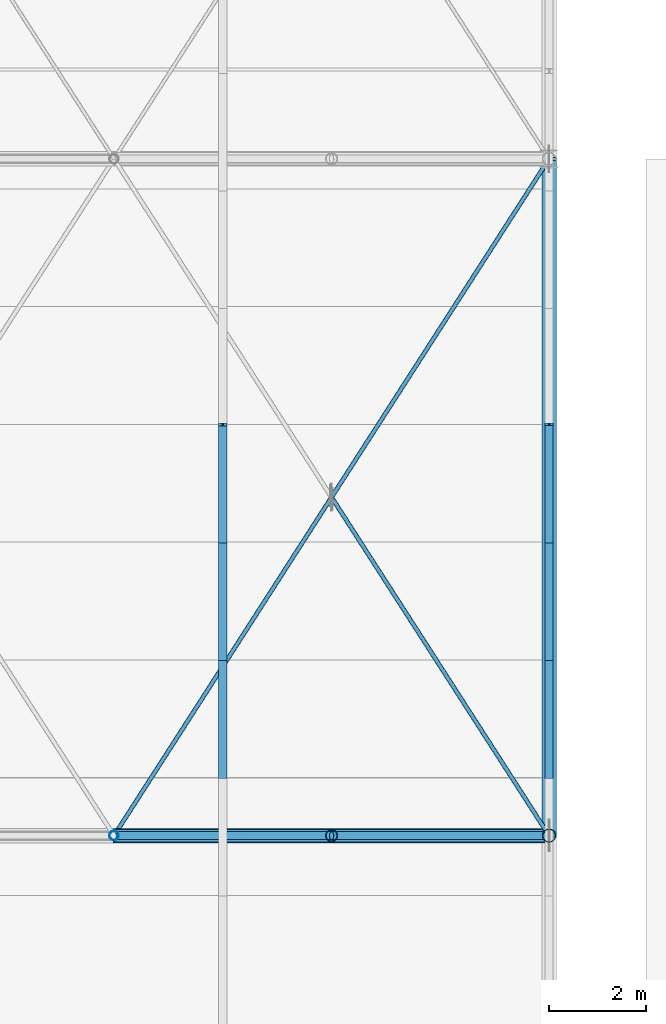
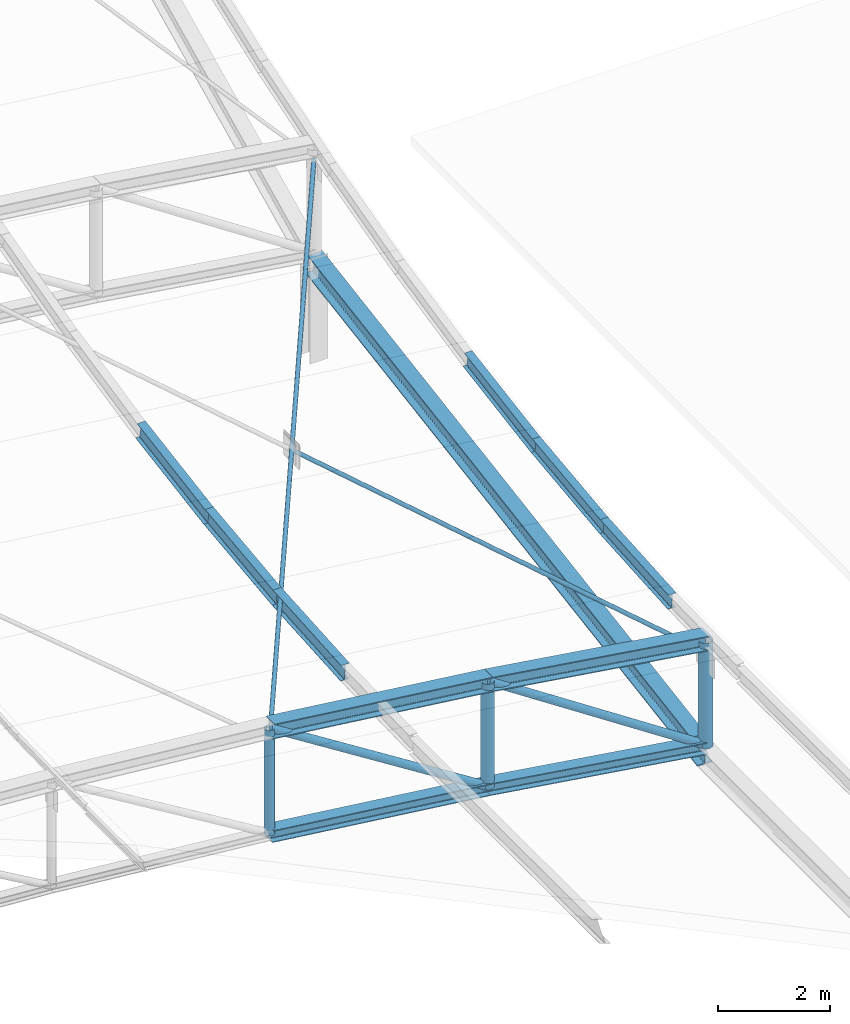
# One storey, part 181 of 262: 17 members, 1 beam.
"""IFC4 building model written with IfcOpenShell, lengths in metres."""

from ifc_helpers import new_model, si_unit, derived_unit, direction, frame, origin, origin_2d, place, context, subcontext, project, spatial, hollow_circle, i_section, extrude, material, material_profile, profile_set, type_object, element, save


model = new_model("IFC4")

# Units and contexts
model_context = context("Model", 3, precision=1e-05, world=origin(), true_north=direction((0.0, 1.0)))
body_context = subcontext(model_context, "Body", "Model", "MODEL_VIEW")
ifc_project = project(units=[si_unit("LENGTHUNIT", "METRE"), si_unit("AREAUNIT", "SQUARE_METRE"), si_unit("VOLUMEUNIT", "CUBIC_METRE"), si_unit("PLANEANGLEUNIT", "RADIAN"), si_unit("MASSUNIT", "GRAM", prefix="KILO"), derived_unit("THERMALTRANSMITTANCEUNIT", [(si_unit("POWERUNIT", "WATT"), 1), (si_unit("LENGTHUNIT", "METRE"), -2), (si_unit("THERMODYNAMICTEMPERATUREUNIT", "KELVIN"), -1)])], contexts=[model_context])

# Site, building, storey
site_placement = place(None, origin())
site = spatial("IfcSite", under=ifc_project, at=site_placement, CompositionType="ELEMENT")
building_placement = place(site_placement, origin())
building = spatial("IfcBuilding", under=site, at=building_placement, Name="Almenara Railside Exhibition Hall", CompositionType="ELEMENT")
storey_placement = place(building_placement, frame((0.0, 0.0, 21.699951171875)))
storey = spatial("IfcBuildingStorey", under=building, at=storey_placement, Name="RF", CompositionType="ELEMENT", Elevation=21.699951171875)

# Members
ifc_material = material(Name="Structural steel S355JR", Category="steel")
ifc_material_profile_1 = material_profile(ifc_material, i_section(OverallWidth=0.260009765625, OverallDepth=0.260009765625, WebThickness=0.010009765625, FlangeThickness=0.017578125, FilletRadius=0.02392578125, at=origin_2d()), Name="HEB 260")
ifc_profile_set_1 = profile_set([ifc_material_profile_1], Name="Structural steel S355JR")
member_type_1 = type_object("IfcMemberType", Name="Arched Truss Bottom Chord HEB 260 S355JR", PredefinedType="CHORD", material=ifc_profile_set_1)
member_1_placement = place(storey_placement, frame((183.0, 104.0, -8.363037109375), z_axis=(0.992618705116, 0.0, -0.12127698155), x_axis=(0.0, 1.0, 0.0)))
element("IfcMember", 1, at=member_1_placement, inside=storey, type_object=member_type_1, Name="MEM-BC-V2-05-10", PredefinedType="CHORD", context=body_context, shape_type="SweptSolid", body=[
    extrude(i_section(OverallWidth=0.260009765625, OverallDepth=0.260009765625, WebThickness=0.010009765625, FlangeThickness=0.017578125, FilletRadius=0.02392578125, at=origin_2d()), origin(), (0.0, 0.0, 1.0), 4.533447265625),
])
member_2_placement = place(storey_placement, frame((187.5, 104.0, -8.912841796875), z_axis=(0.989021203369, 0.0, -0.147773675894), x_axis=(0.0, 1.0, 0.0)))
element("IfcMember", 2, at=member_2_placement, inside=storey, type_object=member_type_1, Name="MEM-BC-V2-05-11", PredefinedType="CHORD", context=body_context, shape_type="SweptSolid", body=[
    extrude(i_section(OverallWidth=0.260009765625, OverallDepth=0.260009765625, WebThickness=0.010009765625, FlangeThickness=0.017578125, FilletRadius=0.02392578125, at=origin_2d()), origin(), (0.0, 0.0, 1.0), 4.550048828125),
])
ifc_material_profile_2 = material_profile(ifc_material, i_section(OverallWidth=0.300048828125, OverallDepth=0.320068359375, WebThickness=0.011474609375, FlangeThickness=0.0205078125, FilletRadius=0.027099609375, at=origin_2d()), Name="HEB 320")
ifc_profile_set_2 = profile_set([ifc_material_profile_2], Name="Structural steel S355JR")
member_type_2 = type_object("IfcMemberType", Name="Arched Truss Top Chord HEB 320 S355JR", PredefinedType="CHORD", material=ifc_profile_set_2)
member_3_placement = place(storey_placement, frame((183.0, 104.0, -6.06298828125), z_axis=(0.992612220818, 0.0, -0.121330041965), x_axis=(0.0, 1.0, 0.0)))
element("IfcMember", 3, at=member_3_placement, inside=storey, type_object=member_type_2, Name="MEM-TC-V2-05-10", PredefinedType="CHORD", context=body_context, shape_type="SweptSolid", body=[
    extrude(i_section(OverallWidth=0.300048828125, OverallDepth=0.320068359375, WebThickness=0.011474609375, FlangeThickness=0.0205078125, FilletRadius=0.027099609375, at=origin_2d()), origin(), (0.0, 0.0, 1.0), 4.533447265625),
])
member_4_placement = place(storey_placement, frame((187.5, 104.0, -6.613037109375), z_axis=(0.9890290442, 0.0, -0.147721189165), x_axis=(0.0, 1.0, 0.0)))
element("IfcMember", 4, at=member_4_placement, inside=storey, type_object=member_type_2, Name="MEM-TC-V2-05-11", PredefinedType="CHORD", context=body_context, shape_type="SweptSolid", body=[
    extrude(i_section(OverallWidth=0.300048828125, OverallDepth=0.320068359375, WebThickness=0.011474609375, FlangeThickness=0.0205078125, FilletRadius=0.027099609375, at=origin_2d()), origin(), (0.0, 0.0, 1.0), 4.5498046875),
])
ifc_material_profile_3 = material_profile(ifc_material, hollow_circle(Radius=0.04443359375, WallThickness=0.00390625, at=origin_2d()), Name="CHS 88.9x4")
ifc_profile_set_3 = profile_set([ifc_material_profile_3], Name="Structural steel S355JR")
member_type_3 = type_object("IfcMemberType", Name="Canopy Tie Brace CHS 88.9x4 S355JR", PredefinedType="BRACE", material=ifc_profile_set_3)
member_5_placement = place(storey_placement, frame((183.0, 104.0, -6.343017578125), z_axis=(0.539691500624, 0.839520112082, 0.062761975455), x_axis=(-0.841178475377, 0.540757591313, 0.0)))
element("IfcMember", 5, at=member_5_placement, inside=storey, type_object=member_type_3, Name="MEM-WB-V2-WB-CHS89-05-10-C", PredefinedType="BRACE", context=body_context, shape_type="SweptSolid", body=[
    extrude(hollow_circle(Radius=0.04443359375, WallThickness=0.00390625, at=origin_2d()), origin(), (0.0, 0.0, 1.0), 16.67626953125),
])
member_6_placement = place(storey_placement, frame((192.0, 104.0, -7.565185546875), z_axis=(-0.529235796348, 0.823265309002, 0.205289315013), x_axis=(-0.841181351383, -0.5407531175, 0.0)))
element("IfcMember", 6, at=member_6_placement, inside=storey, type_object=member_type_3, Name="MEM-WB-V2-WB-CHS89-05-10-S1", PredefinedType="BRACE", context=body_context, shape_type="SweptSolid", body=[
    extrude(hollow_circle(Radius=0.04443359375, WallThickness=0.00390625, at=origin_2d()), origin(), (0.0, 0.0, 1.0), 8.454345703125),
])
ifc_material_profile_4 = material_profile(ifc_material, i_section(OverallWidth=0.159912109375, OverallDepth=0.330078125, WebThickness=0.007568359375, FlangeThickness=0.011474609375, FilletRadius=0.01806640625, at=origin_2d()), Name="IPE 330")
ifc_profile_set_4 = profile_set([ifc_material_profile_4], Name="Structural steel S355JR")
member_type_4 = type_object("IfcMemberType", Name="Gable Bay Purlin IPE 330 S355JR", PredefinedType="PURLIN", material=ifc_profile_set_4)
member_7_placement = place(storey_placement, frame((192.0, 105.1962890625, -7.178466796875), z_axis=(0.0, 0.997521719737, 0.070359211571), x_axis=(-1.0, 0.0, 0.0)))
element("IfcMember", 7, at=member_7_placement, inside=storey, type_object=member_type_4, Name="MEM-PR-V2-PR-IPE330-08-17", PredefinedType="PURLIN", context=body_context, shape_type="SweptSolid", body=[
    extrude(i_section(OverallWidth=0.159912109375, OverallDepth=0.330078125, WebThickness=0.007568359375, FlangeThickness=0.011474609375, FilletRadius=0.01806640625, at=origin_2d()), origin(), (0.0, 0.0, 1.0), 2.44287109375),
])
member_8_placement = place(storey_placement, frame((192.0, 107.633056640625, -7.00830078125), z_axis=(0.0, 0.993105700961, 0.117222296166), x_axis=(-1.0, 0.0, 0.0)))
element("IfcMember", 8, at=member_8_placement, inside=storey, type_object=member_type_4, Name="MEM-PR-V2-PR-IPE330-08-18", PredefinedType="PURLIN", context=body_context, shape_type="SweptSolid", body=[
    extrude(i_section(OverallWidth=0.159912109375, OverallDepth=0.330078125, WebThickness=0.007568359375, FlangeThickness=0.011474609375, FilletRadius=0.01806640625, at=origin_2d()), origin(), (0.0, 0.0, 1.0), 2.453369140625),
])
member_9_placement = place(storey_placement, frame((192.0, 110.069580078125, -6.72314453125), z_axis=(0.0, 0.986465951297, 0.163966237171), x_axis=(-1.0, 0.0, 0.0)))
element("IfcMember", 9, at=member_9_placement, inside=storey, type_object=member_type_4, Name="MEM-PR-V2-PR-IPE330-08-19", PredefinedType="PURLIN", context=body_context, shape_type="SweptSolid", body=[
    extrude(i_section(OverallWidth=0.159912109375, OverallDepth=0.330078125, WebThickness=0.007568359375, FlangeThickness=0.011474609375, FilletRadius=0.01806640625, at=origin_2d()), origin(), (0.0, 0.0, 1.0), 2.47021484375),
])
ifc_material_profile_5 = material_profile(ifc_material, i_section(OverallWidth=0.169921875, OverallDepth=0.360107421875, WebThickness=0.008056640625, FlangeThickness=0.0126953125, FilletRadius=0.01806640625, at=origin_2d()), Name="IPE 360")
ifc_profile_set_5 = profile_set([ifc_material_profile_5], Name="Structural steel S355JR")
member_type_5 = type_object("IfcMemberType", Name="Long-Span Scroll Purlin IPE 360 S355JR", PredefinedType="PURLIN", material=ifc_profile_set_5)
member_10_placement = place(storey_placement, frame((185.25, 105.1962890625, -6.365478515625), z_axis=(0.0, 0.997528729247, 0.070259763216), x_axis=(-1.0, 0.0, 0.0)))
element("IfcMember", 10, at=member_10_placement, inside=storey, type_object=member_type_5, Name="MEM-PR-V2-PR-IPE360-07-17", PredefinedType="PURLIN", context=body_context, shape_type="SweptSolid", body=[
    extrude(i_section(OverallWidth=0.169921875, OverallDepth=0.360107421875, WebThickness=0.008056640625, FlangeThickness=0.0126953125, FilletRadius=0.01806640625, at=origin_2d()), origin(), (0.0, 0.0, 1.0), 2.44287109375),
])
member_11_placement = place(storey_placement, frame((185.25, 107.633056640625, -6.1953125), z_axis=(0.0, 0.993117280569, 0.117124152227), x_axis=(-1.0, 0.0, 0.0)))
element("IfcMember", 11, at=member_11_placement, inside=storey, type_object=member_type_5, Name="MEM-PR-V2-PR-IPE360-07-18", PredefinedType="PURLIN", context=body_context, shape_type="SweptSolid", body=[
    extrude(i_section(OverallWidth=0.169921875, OverallDepth=0.360107421875, WebThickness=0.008056640625, FlangeThickness=0.0126953125, FilletRadius=0.01806640625, at=origin_2d()), origin(), (0.0, 0.0, 1.0), 2.453369140625),
])
member_12_placement = place(storey_placement, frame((185.25, 110.069580078125, -5.910400390625), z_axis=(0.0, 0.986449960692, 0.164062412058), x_axis=(-1.0, 0.0, 0.0)))
element("IfcMember", 12, at=member_12_placement, inside=storey, type_object=member_type_5, Name="MEM-PR-V2-PR-IPE360-07-19", PredefinedType="PURLIN", context=body_context, shape_type="SweptSolid", body=[
    extrude(i_section(OverallWidth=0.169921875, OverallDepth=0.360107421875, WebThickness=0.008056640625, FlangeThickness=0.0126953125, FilletRadius=0.01806640625, at=origin_2d()), origin(), (0.0, 0.0, 1.0), 2.47021484375),
])

# Beam
ifc_material_profile_6 = material_profile(ifc_material, i_section(OverallWidth=0.300048828125, OverallDepth=0.449951171875, WebThickness=0.013916015625, FlangeThickness=0.02587890625, FilletRadius=0.027099609375, at=origin_2d()), Name="HEB 450")
ifc_profile_set_6 = profile_set([ifc_material_profile_6], Name="Structural steel S355JR")
beam_type = type_object("IfcBeamType", Name="Steel Roof Eaves Tie Girder HEB 450 S355JR", PredefinedType="USERDEFINED", material=ifc_profile_set_6)
beam_placement = place(storey_placement, frame((192.0, 104.0, -9.81005859375), z_axis=(0.0, 0.98712458386, 0.15995329299), x_axis=(-1.0, 0.0, 0.0)))
element("IfcBeam", 13, at=beam_placement, inside=storey, type_object=beam_type, Name="Beam 0986", ObjectType="GIRDER", PredefinedType="USERDEFINED", context=body_context, shape_type="SweptSolid", body=[
    extrude(i_section(OverallWidth=0.300048828125, OverallDepth=0.449951171875, WebThickness=0.013916015625, FlangeThickness=0.02587890625, FilletRadius=0.027099609375, at=origin_2d()), origin(), (0.0, 0.0, 1.0), 14.1826171875),
])

# Members
ifc_material_profile_7 = material_profile(ifc_material, hollow_circle(Radius=0.084228515625, WallThickness=0.006103515625, at=origin_2d()), Name="CHS 168.3x6")
ifc_profile_set_7 = profile_set([ifc_material_profile_7], Name="Structural steel S355JR")
member_type_6 = type_object("IfcMemberType", Name="Truss End Diagonal CHS 168.3x6 S355JR", PredefinedType="BRACE", material=ifc_profile_set_7)
member_13_placement = place(storey_placement, frame((183.0, 104.0, -6.06298828125), z_axis=(0.8448315064, 0.0, -0.535032453028), x_axis=(0.0, 1.0, 0.0)))
element("IfcMember", 14, at=member_13_placement, inside=storey, type_object=member_type_6, Name="MEM-TD-V2-05-10", PredefinedType="BRACE", context=body_context, shape_type="SweptSolid", body=[
    extrude(hollow_circle(Radius=0.084228515625, WallThickness=0.006103515625, at=origin_2d()), origin(), (0.0, 0.0, 1.0), 5.326416015625),
])
member_14_placement = place(storey_placement, frame((187.5, 104.0, -6.613037109375), z_axis=(0.834424544227, 0.0, -0.551122200598), x_axis=(0.0, 1.0, 0.0)))
element("IfcMember", 15, at=member_14_placement, inside=storey, type_object=member_type_6, Name="MEM-TD-V2-05-11", PredefinedType="BRACE", context=body_context, shape_type="SweptSolid", body=[
    extrude(hollow_circle(Radius=0.084228515625, WallThickness=0.006103515625, at=origin_2d()), origin(), (0.0, 0.0, 1.0), 5.392822265625),
])
ifc_material_profile_8 = material_profile(ifc_material, hollow_circle(Radius=0.122314453125, WallThickness=0.008056640625, at=origin_2d()), Name="CHS 244.5x8")
ifc_profile_set_8 = profile_set([ifc_material_profile_8], Name="Structural steel S355JR")
member_type_7 = type_object("IfcMemberType", Name="Truss Haunch Vertical Strut CHS 244.5x8 S355JR", PredefinedType="BRACE", material=ifc_profile_set_8)
member_15_placement = place(storey_placement, frame((187.5, 104.0, -8.912841796875), z_axis=(0.0, 0.0, 1.0), x_axis=(1.0, 0.0, 0.0)))
element("IfcMember", 16, at=member_15_placement, inside=storey, type_object=member_type_7, Name="MEM-TV-V2-05-11", PredefinedType="BRACE", context=body_context, shape_type="SweptSolid", body=[
    extrude(hollow_circle(Radius=0.122314453125, WallThickness=0.008056640625, at=origin_2d()), origin(), (0.0, 0.0, 1.0), 2.2998046875),
])
ifc_material_profile_9 = material_profile(ifc_material, hollow_circle(Radius=0.096923828125, WallThickness=0.00634765625, at=origin_2d()), Name="CHS 193.7x6.3")
ifc_profile_set_9 = profile_set([ifc_material_profile_9], Name="Structural steel S355JR")
member_type_8 = type_object("IfcMemberType", Name="Truss Standard Vertical Strut CHS 193.7x6.3 S355JR", PredefinedType="BRACE", material=ifc_profile_set_9)
member_16_placement = place(storey_placement, frame((183.0, 104.0, -8.363037109375), z_axis=(0.0, 0.0, 1.0), x_axis=(1.0, 0.0, 0.0)))
element("IfcMember", 17, at=member_16_placement, inside=storey, type_object=member_type_8, Name="MEM-TV-V2-05-10", PredefinedType="BRACE", context=body_context, shape_type="SweptSolid", body=[
    extrude(hollow_circle(Radius=0.096923828125, WallThickness=0.00634765625, at=origin_2d()), origin(), (0.0, 0.0, 1.0), 2.300048828125),
])
ifc_material_profile_10 = material_profile(ifc_material, hollow_circle(Radius=0.136474609375, WallThickness=0.008056640625, at=origin_2d()), Name="CHS 273x8")
ifc_profile_set_10 = profile_set([ifc_material_profile_10], Name="Structural steel S355JR")
member_type_9 = type_object("IfcMemberType", Name="Truss Support Vertical Strut CHS 273x8 S355JR", PredefinedType="BRACE", material=ifc_profile_set_10)
member_17_placement = place(storey_placement, frame((192.0, 104.0, -9.585205078125), z_axis=(0.0, 0.0, 1.0), x_axis=(1.0, 0.0, 0.0)))
element("IfcMember", 18, at=member_17_placement, inside=storey, type_object=member_type_9, Name="MEM-TV-V2-05-12", PredefinedType="BRACE", context=body_context, shape_type="SweptSolid", body=[
    extrude(hollow_circle(Radius=0.136474609375, WallThickness=0.008056640625, at=origin_2d()), origin(), (0.0, 0.0, 1.0), 2.300048828125),
])

save(model, "model.ifc")
